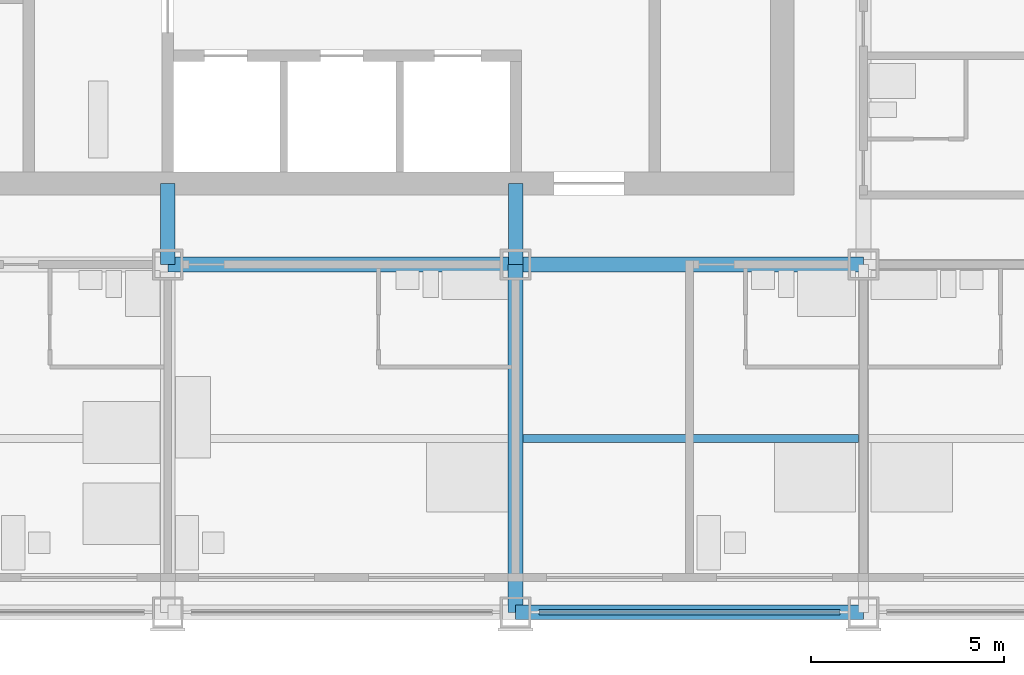
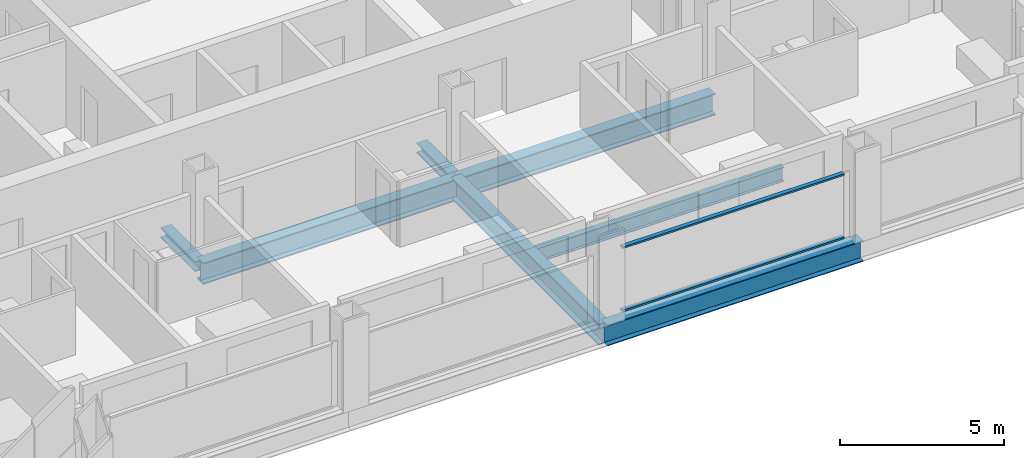
# One storey, part 3 of 17: 5 beams, 4 members, 1 element without a shape of its own.
"""IFC4 building model written with IfcOpenShell, lengths in metres."""

from ifc_helpers import new_model, si_unit, direction, frame, origin, origin_2d, place, context, subcontext, project, spatial, rectangle, i_section, extrude, material, material_profile, profile_set, type_object, element, aggregate, save


model = new_model("IFC4")

# Units and contexts
model_context = context("Model", 3, precision=1e-05, world=origin(), true_north=direction((0.0, 1.0)))
body_context = subcontext(model_context, "Body", "Model", "MODEL_VIEW")
ifc_project = project(units=[si_unit("LENGTHUNIT", "METRE"), si_unit("AREAUNIT", "SQUARE_METRE"), si_unit("VOLUMEUNIT", "CUBIC_METRE"), si_unit("PLANEANGLEUNIT", "RADIAN"), si_unit("MASSUNIT", "GRAM", prefix="KILO")], contexts=[model_context])

# Site, building, storey
site_placement = place(None, origin())
site = spatial("IfcSite", under=ifc_project, at=site_placement, CompositionType="ELEMENT")
building_placement = place(site_placement, origin())
building = spatial("IfcBuilding", under=site, at=building_placement, Name="Loomwork Tower", CompositionType="ELEMENT")
storey_placement = place(building_placement, frame((0.0, 0.0, 145.199951171875)))
storey = spatial("IfcBuildingStorey", under=building, at=storey_placement, Name="L39", CompositionType="ELEMENT", Elevation=145.199951171875)

# Beams
ifc_material_1 = material(Name="Steel ASTM A992", Category="steel")
ifc_material_profile_1 = material_profile(ifc_material_1, i_section(OverallWidth=0.383544921875, OverallDepth=0.794921875, WebThickness=0.02099609375, FlangeThickness=0.0380859375, at=origin_2d()), Name="W30x235")
ifc_profile_set_1 = profile_set([ifc_material_profile_1], Name="Steel ASTM A992")
beam_type_1 = type_object("IfcBeamType", Name="CORE FLANK GIRDER W30x235", PredefinedType="BEAM", material=ifc_profile_set_1)
for number, where, z_axis, x_axis, name in (
    (1, (18.0, 9.0, -0.597412109375), (1.0, 0.0, 0.0), (0.0, 1.0, 0.0), "Core Flank Girder E/4-E/5 L39"),
    (2, (27.0, 9.0, -0.597412109375), (1.0, 0.0, 0.0), (0.0, 1.0, 0.0), "Core Flank Girder E/5-E/6 L39"),
    (3, (27.0, 0.0, -0.597412109375), (0.0, 1.0, 0.0), (-1.0, 0.0, 0.0), "Core Flank Girder D/5-E/5 L39"),
):
    element("IfcBeam", number, at=place(storey_placement, frame(where, z_axis=z_axis, x_axis=x_axis)), inside=storey, type_object=beam_type_1, Name=name, PredefinedType="BEAM", context=body_context, shape_type="SweptSolid", body=[
        extrude(i_section(OverallWidth=0.383544921875, OverallDepth=0.794921875, WebThickness=0.02099609375, FlangeThickness=0.0380859375, at=origin_2d()), origin(), (0.0, 0.0, 1.0), 9.0),
    ])

# Members
ifc_material_2 = material(Name="Steel ASTM A992", Category="steel")
ifc_material_profile_2 = material_profile(ifc_material_2, i_section(OverallWidth=0.373291015625, OverallDepth=0.373291015625, WebThickness=0.016357421875, FlangeThickness=0.026123046875, at=origin_2d()), Name="W14x132")
ifc_profile_set_2 = profile_set([ifc_material_profile_2], Name="Steel ASTM A992")
member_type_1 = type_object("IfcMemberType", Name="CORE LINK STRUT W14x132", PredefinedType="STRUT", material=ifc_profile_set_2)
for number, where, z_axis, x_axis, name in (
    (4, (27.0, 9.0, -0.38671875), (0.0, 1.0, 0.0), (-1.0, 0.0, 0.0), "Core link strut E/5-27.000,11.100 L39"),
    (5, (18.0, 9.0, -0.38671875), (0.0, 1.0, 0.0), (-1.0, 0.0, 0.0), "Core link strut E/4-18.000,11.100 L39"),
):
    element("IfcMember", number, at=place(storey_placement, frame(where, z_axis=z_axis, x_axis=x_axis)), inside=storey, type_object=member_type_1, Name=name, PredefinedType="STRUT", context=body_context, shape_type="SweptSolid", body=[
        extrude(i_section(OverallWidth=0.373291015625, OverallDepth=0.373291015625, WebThickness=0.016357421875, FlangeThickness=0.026123046875, at=origin_2d()), origin(), (0.0, 0.0, 1.0), 2.10009765625),
    ])

# Beam
ifc_material_3 = material(Name="Steel ASTM A992", Category="steel")
ifc_material_profile_3 = material_profile(ifc_material_3, i_section(OverallWidth=0.2109375, OverallDepth=0.53857421875, WebThickness=0.011474609375, FlangeThickness=0.018798828125, at=origin_2d()), Name="W21x73")
ifc_profile_set_3 = profile_set([ifc_material_profile_3], Name="Steel ASTM A992")
beam_type_2 = type_object("IfcBeamType", Name="FLOOR JOIST W21x73", PredefinedType="JOIST", material=ifc_profile_set_3)
beam_1_placement = place(storey_placement, frame((27.19091796875, 4.5, -0.46923828125), z_axis=(1.0, 0.0, 0.0), x_axis=(0.0, 1.0, 0.0)))
element("IfcBeam", 6, at=beam_1_placement, inside=storey, type_object=beam_type_2, Name="Floor Joist 27.000,4.500-36.000,4.500 L39", PredefinedType="JOIST", context=body_context, shape_type="SweptSolid", body=[
    extrude(i_section(OverallWidth=0.2109375, OverallDepth=0.53857421875, WebThickness=0.011474609375, FlangeThickness=0.018798828125, at=origin_2d()), origin(), (0.0, 0.0, 1.0), 8.676025390625),
])

# Curtain wall, members
ifc_material_4 = material(Name="Aluminium curtain wall frame", Category="aluminium")
curtain_wall_type = type_object("IfcCurtainWallType", Name="Outer skin glazing hotel", PredefinedType="NOTDEFINED", material=ifc_material_4)
curtain_wall_placement = place(storey_placement, origin())
curtain_wall = element("IfcCurtainWall", 7, at=curtain_wall_placement, inside=storey, type_object=curtain_wall_type, Name="Outer skin glazing hotel cw/S-27", PredefinedType="NOTDEFINED")
ifc_material_5 = material(Name="Aluminium curtain wall frame", Category="aluminium")
ifc_material_profile_4 = material_profile(ifc_material_5, rectangle(XDim=0.14990234375, YDim=0.06494140625, at=origin_2d()), Name="AL 65x150")
ifc_profile_set_4 = profile_set([ifc_material_profile_4], Name="Aluminium curtain wall frame")
member_type_2 = type_object("IfcMemberType", Name="Outer skin glazing hotel transom", PredefinedType="USERDEFINED", material=ifc_profile_set_4)
member_1_placement = place(storey_placement, frame((27.60009765625, 0.0, 0.032470703125), z_axis=(1.0, 0.0, 0.0), x_axis=(0.0, 1.0, 0.0)))
member_1 = element("IfcMember", 8, at=member_1_placement, type_object=member_type_2, Name="CW1 transom 1.1", ObjectType="TRANSOM", PredefinedType="USERDEFINED", context=body_context, shape_type="SweptSolid", body=[
    extrude(rectangle(XDim=0.14990234375, YDim=0.06494140625, at=origin_2d()), origin(), (0.0, 0.0, 1.0), 7.7998046875),
])
member_2_placement = place(storey_placement, frame((27.60009765625, 0.0, 2.3876953125), z_axis=(1.0, 0.0, 0.0), x_axis=(0.0, 1.0, 0.0)))
member_2 = element("IfcMember", 9, at=member_2_placement, type_object=member_type_2, Name="CW1 transom 1.2", ObjectType="TRANSOM", PredefinedType="USERDEFINED", context=body_context, shape_type="SweptSolid", body=[
    extrude(rectangle(XDim=0.14990234375, YDim=0.06494140625, at=origin_2d()), origin(), (0.0, 0.0, 1.0), 7.7998046875),
])
aggregate(curtain_wall, [member_1, member_2])

# Beam
ifc_material_6 = material(Name="Steel ASTM A992", Category="steel")
ifc_material_profile_5 = material_profile(ifc_material_6, i_section(OverallWidth=0.381103515625, OverallDepth=0.77978515625, WebThickness=0.01806640625, FlangeThickness=0.0302734375, at=origin_2d()), Name="W30x191")
ifc_profile_set_5 = profile_set([ifc_material_profile_5], Name="Steel ASTM A992")
beam_type_3 = type_object("IfcBeamType", Name="SPANDREL GIRDER W30x191", PredefinedType="SPANDREL", material=ifc_profile_set_5)
beam_2_placement = place(storey_placement, frame((27.0, 0.0, -0.58984375), z_axis=(1.0, 0.0, 0.0), x_axis=(0.0, 1.0, 0.0)))
element("IfcBeam", 10, at=beam_2_placement, inside=storey, type_object=beam_type_3, Name="Spandrel Girder D/5-D/6 L39", PredefinedType="SPANDREL", context=body_context, shape_type="SweptSolid", body=[
    extrude(i_section(OverallWidth=0.381103515625, OverallDepth=0.77978515625, WebThickness=0.01806640625, FlangeThickness=0.0302734375, at=origin_2d()), origin(), (0.0, 0.0, 1.0), 9.0),
])

save(model, "model.ifc")
